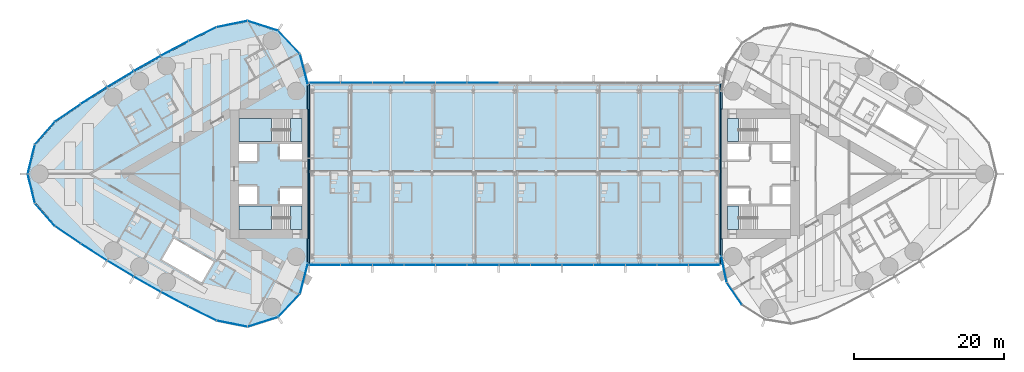
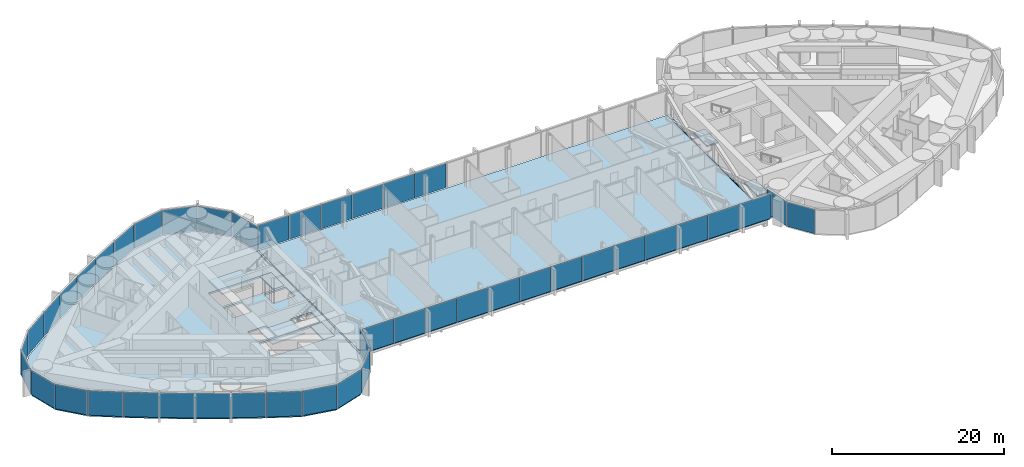
# One storey, part 13 of 24: 47 plates, 8 slabs, 8 elements without a shape of their own.
"""IFC4 building model written with IfcOpenShell, lengths in metres."""

from ifc_helpers import new_model, si_unit, direction, frame, origin, origin_2d, place, context, subcontext, project, spatial, polyline, rectangle, outline, extrude, material, layer, layer_set, type_object, element, aggregate, save


model = new_model("IFC4")

# Units and contexts
model_context = context("Model", 3, precision=1e-05, world=origin(), true_north=direction((0.0, 1.0)))
body_context = subcontext(model_context, "Body", "Model", "MODEL_VIEW")
ifc_project = project(units=[si_unit("LENGTHUNIT", "METRE"), si_unit("AREAUNIT", "SQUARE_METRE"), si_unit("VOLUMEUNIT", "CUBIC_METRE"), si_unit("PLANEANGLEUNIT", "RADIAN"), si_unit("MASSUNIT", "GRAM", prefix="KILO")], contexts=[model_context])

# Site, building, storey
site_placement = place(None, origin())
site = spatial("IfcSite", under=ifc_project, at=site_placement, CompositionType="ELEMENT")
building_placement = place(site_placement, origin())
building = spatial("IfcBuilding", under=site, at=building_placement, Name="Lancet Gate Hotel", CompositionType="ELEMENT")
storey_placement = place(building_placement, frame((0.0, 0.0, 244.10009765625)))
storey = spatial("IfcBuildingStorey", under=building, at=storey_placement, Name="L65", CompositionType="ELEMENT", Elevation=244.10009765625)

# Curtain wall, plates
ifc_material_1 = material(Name="Aluminium curtain wall", Category="aluminium")
curtain_wall_type_1 = type_object("IfcCurtainWallType", Name="Bridge block curtain wall", PredefinedType="USERDEFINED", material=ifc_material_1)
curtain_wall_1_placement = place(storey_placement, origin())
curtain_wall_1 = element("IfcCurtainWall", 1, at=curtain_wall_1_placement, inside=storey, type_object=curtain_wall_type_1, Name="Bridge block L65 curtain wall S", ObjectType="UNITISED CURTAIN WALL", PredefinedType="USERDEFINED")
ifc_material_2 = material(Name="Glass double glazed unit 8-16-6", Category="glass")
ifc_layer_1 = layer(ifc_material_2, 0.030029296875)
ifc_layer_set_1 = layer_set([ifc_layer_1], Name="Block vision panel")
plate_type_1 = type_object("IfcPlateType", Name="Block vision panel", PredefinedType="CURTAIN_PANEL", material=ifc_layer_set_1)
plate_1_placement = place(storey_placement, frame((-25.24609375, -12.1201171875, 0.0), z_axis=(0.0, 0.0, 1.0), x_axis=(1.0, 0.0, 0.0)))
plate_1 = element("IfcPlate", 2, at=plate_1_placement, type_object=plate_type_1, Name="Bridge block L65 curtain wall S panel 1", PredefinedType="CURTAIN_PANEL", context=body_context, shape_type="SweptSolid", body=[
    extrude(rectangle(XDim=4.142578125, YDim=0.030029296875, at=origin_2d()), origin(), (0.0, 0.0, 1.0), 3.449951171875),
])
plate_2_placement = place(storey_placement, frame((-21.03857421875, -12.1201171875, 0.0), z_axis=(0.0, 0.0, 1.0), x_axis=(1.0, 0.0, 0.0)))
plate_2 = element("IfcPlate", 3, at=plate_2_placement, type_object=plate_type_1, Name="Bridge block L65 curtain wall S panel 2", PredefinedType="CURTAIN_PANEL", context=body_context, shape_type="SweptSolid", body=[
    extrude(rectangle(XDim=4.142578125, YDim=0.030029296875, at=origin_2d()), origin(), (0.0, 0.0, 1.0), 3.449951171875),
])
plate_3_placement = place(storey_placement, frame((-16.830810546875, -12.1201171875, 0.0), z_axis=(0.0, 0.0, 1.0), x_axis=(1.0, 0.0, 0.0)))
plate_3 = element("IfcPlate", 4, at=plate_3_placement, type_object=plate_type_1, Name="Bridge block L65 curtain wall S panel 3", PredefinedType="CURTAIN_PANEL", context=body_context, shape_type="SweptSolid", body=[
    extrude(rectangle(XDim=4.142578125, YDim=0.030029296875, at=origin_2d()), origin(), (0.0, 0.0, 1.0), 3.449951171875),
])
plate_4_placement = place(storey_placement, frame((-12.623046875, -12.1201171875, 0.0), z_axis=(0.0, 0.0, 1.0), x_axis=(1.0, 0.0, 0.0)))
plate_4 = element("IfcPlate", 5, at=plate_4_placement, type_object=plate_type_1, Name="Bridge block L65 curtain wall S panel 4", PredefinedType="CURTAIN_PANEL", context=body_context, shape_type="SweptSolid", body=[
    extrude(rectangle(XDim=4.142578125, YDim=0.030029296875, at=origin_2d()), origin(), (0.0, 0.0, 1.0), 3.449951171875),
])
plate_5_placement = place(storey_placement, frame((-8.415283203125, -12.1201171875, 0.0), z_axis=(0.0, 0.0, 1.0), x_axis=(1.0, 0.0, 0.0)))
plate_5 = element("IfcPlate", 6, at=plate_5_placement, type_object=plate_type_1, Name="Bridge block L65 curtain wall S panel 5", PredefinedType="CURTAIN_PANEL", context=body_context, shape_type="SweptSolid", body=[
    extrude(rectangle(XDim=4.142578125, YDim=0.030029296875, at=origin_2d()), origin(), (0.0, 0.0, 1.0), 3.449951171875),
])
plate_6_placement = place(storey_placement, frame((-4.207763671875, -12.1201171875, 0.0), z_axis=(0.0, 0.0, 1.0), x_axis=(1.0, 0.0, 0.0)))
plate_6 = element("IfcPlate", 7, at=plate_6_placement, type_object=plate_type_1, Name="Bridge block L65 curtain wall S panel 6", PredefinedType="CURTAIN_PANEL", context=body_context, shape_type="SweptSolid", body=[
    extrude(rectangle(XDim=4.142578125, YDim=0.030029296875, at=origin_2d()), origin(), (0.0, 0.0, 1.0), 3.449951171875),
])
plate_7_placement = place(storey_placement, frame((0.0, -12.1201171875, 0.0), z_axis=(0.0, 0.0, 1.0), x_axis=(1.0, 0.0, 0.0)))
plate_7 = element("IfcPlate", 8, at=plate_7_placement, type_object=plate_type_1, Name="Bridge block L65 curtain wall S panel 7", PredefinedType="CURTAIN_PANEL", context=body_context, shape_type="SweptSolid", body=[
    extrude(rectangle(XDim=4.142578125, YDim=0.030029296875, at=origin_2d()), origin(), (0.0, 0.0, 1.0), 3.449951171875),
])
plate_8_placement = place(storey_placement, frame((4.207763671875, -12.1201171875, 0.0), z_axis=(0.0, 0.0, 1.0), x_axis=(1.0, 0.0, 0.0)))
plate_8 = element("IfcPlate", 9, at=plate_8_placement, type_object=plate_type_1, Name="Bridge block L65 curtain wall S panel 8", PredefinedType="CURTAIN_PANEL", context=body_context, shape_type="SweptSolid", body=[
    extrude(rectangle(XDim=4.142578125, YDim=0.030029296875, at=origin_2d()), origin(), (0.0, 0.0, 1.0), 3.449951171875),
])
plate_9_placement = place(storey_placement, frame((8.415283203125, -12.1201171875, 0.0), z_axis=(0.0, 0.0, 1.0), x_axis=(1.0, 0.0, 0.0)))
plate_9 = element("IfcPlate", 10, at=plate_9_placement, type_object=plate_type_1, Name="Bridge block L65 curtain wall S panel 9", PredefinedType="CURTAIN_PANEL", context=body_context, shape_type="SweptSolid", body=[
    extrude(rectangle(XDim=4.142578125, YDim=0.030029296875, at=origin_2d()), origin(), (0.0, 0.0, 1.0), 3.449951171875),
])
plate_10_placement = place(storey_placement, frame((12.623046875, -12.1201171875, 0.0), z_axis=(0.0, 0.0, 1.0), x_axis=(1.0, 0.0, 0.0)))
plate_10 = element("IfcPlate", 11, at=plate_10_placement, type_object=plate_type_1, Name="Bridge block L65 curtain wall S panel 10", PredefinedType="CURTAIN_PANEL", context=body_context, shape_type="SweptSolid", body=[
    extrude(rectangle(XDim=4.142578125, YDim=0.030029296875, at=origin_2d()), origin(), (0.0, 0.0, 1.0), 3.449951171875),
])
plate_11_placement = place(storey_placement, frame((16.830810546875, -12.1201171875, 0.0), z_axis=(0.0, 0.0, 1.0), x_axis=(1.0, 0.0, 0.0)))
plate_11 = element("IfcPlate", 12, at=plate_11_placement, type_object=plate_type_1, Name="Bridge block L65 curtain wall S panel 11", PredefinedType="CURTAIN_PANEL", context=body_context, shape_type="SweptSolid", body=[
    extrude(rectangle(XDim=4.142578125, YDim=0.030029296875, at=origin_2d()), origin(), (0.0, 0.0, 1.0), 3.449951171875),
])
plate_12_placement = place(storey_placement, frame((21.03857421875, -12.1201171875, 0.0), z_axis=(0.0, 0.0, 1.0), x_axis=(1.0, 0.0, 0.0)))
plate_12 = element("IfcPlate", 13, at=plate_12_placement, type_object=plate_type_1, Name="Bridge block L65 curtain wall S panel 12", PredefinedType="CURTAIN_PANEL", context=body_context, shape_type="SweptSolid", body=[
    extrude(rectangle(XDim=4.142578125, YDim=0.030029296875, at=origin_2d()), origin(), (0.0, 0.0, 1.0), 3.449951171875),
])
plate_13_placement = place(storey_placement, frame((25.24609375, -12.1201171875, 0.0), z_axis=(0.0, 0.0, 1.0), x_axis=(1.0, 0.0, 0.0)))
plate_13 = element("IfcPlate", 14, at=plate_13_placement, type_object=plate_type_1, Name="Bridge block L65 curtain wall S panel 13", PredefinedType="CURTAIN_PANEL", context=body_context, shape_type="SweptSolid", body=[
    extrude(rectangle(XDim=4.142578125, YDim=0.030029296875, at=origin_2d()), origin(), (0.0, 0.0, 1.0), 3.449951171875),
])
aggregate(curtain_wall_1, [plate_1, plate_2, plate_3, plate_4, plate_5, plate_6, plate_7, plate_8, plate_9, plate_10, plate_11, plate_12, plate_13])

curtain_wall_2_placement = place(storey_placement, origin())
curtain_wall_2 = element("IfcCurtainWall", 15, at=curtain_wall_2_placement, inside=storey, type_object=curtain_wall_type_1, Name="Bridge block L65 curtain wall N", ObjectType="UNITISED CURTAIN WALL", PredefinedType="USERDEFINED")
plate_14_placement = place(storey_placement, frame((-4.207763671875, 12.1201171875, 0.0), z_axis=(0.0, 0.0, 1.0), x_axis=(-1.0, 0.0, 0.0)))
plate_14 = element("IfcPlate", 16, at=plate_14_placement, type_object=plate_type_1, Name="Bridge block L65 curtain wall N panel 8", PredefinedType="CURTAIN_PANEL", context=body_context, shape_type="SweptSolid", body=[
    extrude(rectangle(XDim=4.142578125, YDim=0.030029296875, at=origin_2d()), origin(), (0.0, 0.0, 1.0), 3.449951171875),
])
plate_15_placement = place(storey_placement, frame((-8.415283203125, 12.1201171875, 0.0), z_axis=(0.0, 0.0, 1.0), x_axis=(-1.0, 0.0, 0.0)))
plate_15 = element("IfcPlate", 17, at=plate_15_placement, type_object=plate_type_1, Name="Bridge block L65 curtain wall N panel 9", PredefinedType="CURTAIN_PANEL", context=body_context, shape_type="SweptSolid", body=[
    extrude(rectangle(XDim=4.142578125, YDim=0.030029296875, at=origin_2d()), origin(), (0.0, 0.0, 1.0), 3.449951171875),
])
plate_16_placement = place(storey_placement, frame((-12.623046875, 12.1201171875, 0.0), z_axis=(0.0, 0.0, 1.0), x_axis=(-1.0, 0.0, 0.0)))
plate_16 = element("IfcPlate", 18, at=plate_16_placement, type_object=plate_type_1, Name="Bridge block L65 curtain wall N panel 10", PredefinedType="CURTAIN_PANEL", context=body_context, shape_type="SweptSolid", body=[
    extrude(rectangle(XDim=4.142578125, YDim=0.030029296875, at=origin_2d()), origin(), (0.0, 0.0, 1.0), 3.449951171875),
])
plate_17_placement = place(storey_placement, frame((-16.830810546875, 12.1201171875, 0.0), z_axis=(0.0, 0.0, 1.0), x_axis=(-1.0, 0.0, 0.0)))
plate_17 = element("IfcPlate", 19, at=plate_17_placement, type_object=plate_type_1, Name="Bridge block L65 curtain wall N panel 11", PredefinedType="CURTAIN_PANEL", context=body_context, shape_type="SweptSolid", body=[
    extrude(rectangle(XDim=4.142578125, YDim=0.030029296875, at=origin_2d()), origin(), (0.0, 0.0, 1.0), 3.449951171875),
])
plate_18_placement = place(storey_placement, frame((-21.03857421875, 12.1201171875, 0.0), z_axis=(0.0, 0.0, 1.0), x_axis=(-1.0, 0.0, 0.0)))
plate_18 = element("IfcPlate", 20, at=plate_18_placement, type_object=plate_type_1, Name="Bridge block L65 curtain wall N panel 12", PredefinedType="CURTAIN_PANEL", context=body_context, shape_type="SweptSolid", body=[
    extrude(rectangle(XDim=4.142578125, YDim=0.030029296875, at=origin_2d()), origin(), (0.0, 0.0, 1.0), 3.449951171875),
])
plate_19_placement = place(storey_placement, frame((-25.24609375, 12.1201171875, 0.0), z_axis=(0.0, 0.0, 1.0), x_axis=(-1.0, 0.0, 0.0)))
plate_19 = element("IfcPlate", 21, at=plate_19_placement, type_object=plate_type_1, Name="Bridge block L65 curtain wall N panel 13", PredefinedType="CURTAIN_PANEL", context=body_context, shape_type="SweptSolid", body=[
    extrude(rectangle(XDim=4.142578125, YDim=0.030029296875, at=origin_2d()), origin(), (0.0, 0.0, 1.0), 3.449951171875),
])
aggregate(curtain_wall_2, [plate_14, plate_15, plate_16, plate_17, plate_18, plate_19])

# Slabs
ifc_material_3 = material(Name="Concrete C40/50", Category="concrete")
ifc_layer_2 = layer(ifc_material_3, 0.199951171875)
ifc_layer_set_2 = layer_set([ifc_layer_2], Name="Composite floor slab 200")
slab_type_1 = type_object("IfcSlabType", Name="Composite floor slab 200", PredefinedType="FLOOR", material=ifc_layer_set_2)
slab_1_placement = place(storey_placement, frame((0.0, 0.0, -0.2001953125)))
element("IfcSlab", 22, at=slab_1_placement, inside=storey, type_object=slab_type_1, Name="Bridge block L65 floor slab", PredefinedType="FLOOR", context=body_context, shape_type="SweptSolid", body=[
    extrude(outline(polyline([(27.35009765625, -12.0), (27.35009765625, 12.0), (-27.35009765625, 12.0), (-27.35009765625, -12.0), (27.35009765625, -12.0)])), origin(), (0.0, 0.0, 1.0), 0.2001953125),
])
ifc_material_4 = material(Name="Concrete C50/60", Category="concrete")
ifc_layer_3 = layer(ifc_material_4, 0.25)
ifc_layer_set_3 = layer_set([ifc_layer_3], Name="Floor slab 250")
slab_type_2 = type_object("IfcSlabType", Name="Floor slab 250", PredefinedType="FLOOR", material=ifc_layer_set_3)
slab_2_placement = place(storey_placement, frame((0.0, 0.0, -0.25)))
element("IfcSlab", 23, at=slab_2_placement, inside=storey, type_object=slab_type_2, Name="T1 L65 floor slab", PredefinedType="FLOOR", context=body_context, shape_type="SweptSolid", body=[
    extrude(outline(polyline([(-27.5, 8.60009765625), (-27.6201171875, 8.60009765625), (-27.6201171875, 11.84619140625), (-28.668701171875, 15.912353515625), (-31.542236328125, 18.95263671875), (-35.52783203125, 20.22412109375), (-39.645751953125, 19.40673828125), (-43.344482421875, 17.565673828125), (-47.005126953125, 15.618896484375), (-50.61181640625, 13.574462890625), (-54.162353515625, 11.43359375), (-57.654052734375, 9.197998046875), (-61.072998046875, 6.876708984375), (-63.71240234375, 3.871337890625), (-64.66064453125, 0.0), (-63.71240234375, -3.871337890625), (-61.072998046875, -6.876708984375), (-57.654052734375, -9.197998046875), (-54.162353515625, -11.43359375), (-50.61181640625, -13.574462890625), (-47.005126953125, -15.618896484375), (-43.344482421875, -17.565673828125), (-39.645751953125, -19.40673828125), (-35.52783203125, -20.22412109375), (-31.542236328125, -18.95263671875), (-28.668701171875, -15.912353515625), (-27.6201171875, -11.84619140625), (-27.6201171875, -8.60009765625), (-27.5, -8.60009765625), (-27.5, -8.199951171875), (-27.5, 8.199951171875), (-27.5, 8.60009765625)]), holes=[polyline([(-36.699951171875, 7.39990234375), (-36.699951171875, 4.300048828125), (-28.300048828125, 4.300048828125), (-28.300048828125, 7.39990234375), (-36.699951171875, 7.39990234375)]), polyline([(-28.300048828125, 4.0), (-31.199951171875, 4.0), (-31.199951171875, 1.89990234375), (-28.300048828125, 1.89990234375), (-28.300048828125, 4.0)]), polyline([(-34.25, 4.0), (-36.699951171875, 4.0), (-36.699951171875, 1.64990234375), (-34.25, 1.64990234375), (-34.25, 4.0)]), polyline([(-36.699951171875, -1.64990234375), (-36.699951171875, -4.0), (-34.25, -4.0), (-34.25, -1.64990234375), (-36.699951171875, -1.64990234375)]), polyline([(-28.300048828125, -1.89990234375), (-31.199951171875, -1.89990234375), (-31.199951171875, -4.0), (-28.300048828125, -4.0), (-28.300048828125, -1.89990234375)]), polyline([(-28.300048828125, -4.300048828125), (-36.699951171875, -4.300048828125), (-36.699951171875, -7.39990234375), (-28.300048828125, -7.39990234375), (-28.300048828125, -4.300048828125)]), polyline([(-45.319091796875, -8.631103515625), (-46.9189453125, -11.402099609375), (-41.635986328125, -14.451904296875), (-40.035888671875, -11.680908203125), (-45.319091796875, -8.631103515625)])]), origin(), (0.0, 0.0, 1.0), 0.25),
])

# Plates
ifc_material_5 = material(Name="Aluminium chequer plate", Category="aluminium")
ifc_layer_4 = layer(ifc_material_5, 0.014892578125)
ifc_layer_set_4 = layer_set([ifc_layer_4], Name="Movement joint cover plate 15")
plate_type_2 = type_object("IfcPlateType", Name="Movement joint cover plate 15", PredefinedType="SHEET", material=ifc_layer_set_4)
plate_20_placement = place(storey_placement, frame((0.0, 0.0, -0.01513671875)))
element("IfcPlate", 24, at=plate_20_placement, inside=storey, type_object=plate_type_2, Name="Movement joint cover plate T1 L65", PredefinedType="SHEET", context=body_context, shape_type="SweptSolid", body=[
    extrude(outline(polyline([(-27.35009765625, 12.0), (-27.65966796875, 12.0), (-27.6201171875, 11.84619140625), (-27.6201171875, 8.60009765625), (-27.5, 8.60009765625), (-27.5, 8.199951171875), (-27.5, -8.199951171875), (-27.5, -8.60009765625), (-27.6201171875, -8.60009765625), (-27.6201171875, -11.84619140625), (-27.65966796875, -12.0), (-27.35009765625, -12.0), (-27.35009765625, 12.0)])), origin(), (0.0, 0.0, 1.0), 0.01513671875),
])
plate_21_placement = place(storey_placement, frame((0.0, 0.0, -0.01513671875)))
element("IfcPlate", 25, at=plate_21_placement, inside=storey, type_object=plate_type_2, Name="Movement joint cover plate T2 L65", PredefinedType="SHEET", context=body_context, shape_type="SweptSolid", body=[
    extrude(outline(polyline([(27.35009765625, -12.0), (27.836669921875, -12.0), (27.6201171875, -10.93603515625), (27.6201171875, -8.60009765625), (27.5, -8.60009765625), (27.5, -8.199951171875), (27.5, 8.199951171875), (27.5, 8.60009765625), (27.6201171875, 8.60009765625), (27.6201171875, 10.93603515625), (27.836669921875, 12.0), (27.35009765625, 12.0), (27.35009765625, -12.0)])), origin(), (0.0, 0.0, 1.0), 0.01513671875),
])

# Stair, slabs
ifc_material_6 = material(Name="Exit stair 20 risers 1500")
stair_type = type_object("IfcStairType", Name="Exit stair 20 risers 1500", PredefinedType="HALF_TURN_STAIR", material=ifc_material_6)
stair_1_placement = place(storey_placement, origin())
stair_1 = element("IfcStair", 26, at=stair_1_placement, inside=storey, type_object=stair_type, Name="T1 stair 1 L65", PredefinedType="HALF_TURN_STAIR")
ifc_material_7 = material(Name="Concrete C40/50", Category="concrete")
ifc_layer_5 = layer(ifc_material_7, 0.199951171875)
ifc_layer_set_5 = layer_set([ifc_layer_5], Name="Stair landing 200")
slab_type_3 = type_object("IfcSlabType", Name="Stair landing 200", PredefinedType="LANDING", material=ifc_layer_set_5)
slab_3_placement = place(storey_placement, frame((0.0, 0.0, -0.2001953125)))
slab_3 = element("IfcSlab", 27, at=slab_3_placement, type_object=slab_type_3, Name="ST1 landing 1", PredefinedType="LANDING", context=body_context, shape_type="SweptSolid", body=[
    extrude(outline(polyline([(-28.300048828125, 7.39990234375), (-29.800048828125, 7.39990234375), (-29.800048828125, 4.300048828125), (-28.300048828125, 4.300048828125), (-28.300048828125, 7.39990234375)])), origin(), (0.0, 0.0, 1.0), 0.2001953125),
])
slab_4_placement = place(storey_placement, frame((0.0, 0.0, 1.599853515625)))
slab_4 = element("IfcSlab", 28, at=slab_4_placement, type_object=slab_type_3, Name="ST1 landing 2", PredefinedType="LANDING", context=body_context, shape_type="SweptSolid", body=[
    extrude(outline(polyline([(-32.320068359375, 7.39990234375), (-36.699951171875, 7.39990234375), (-36.699951171875, 4.300048828125), (-32.320068359375, 4.300048828125), (-32.320068359375, 7.39990234375)])), origin(), (0.0, 0.0, 1.0), 0.199951171875),
])
aggregate(stair_1, [slab_3, slab_4])

stair_2_placement = place(storey_placement, origin())
stair_2 = element("IfcStair", 29, at=stair_2_placement, inside=storey, type_object=stair_type, Name="T1 stair 2 L65", PredefinedType="HALF_TURN_STAIR")
slab_5_placement = place(storey_placement, frame((0.0, 0.0, -0.2001953125)))
slab_5 = element("IfcSlab", 30, at=slab_5_placement, type_object=slab_type_3, Name="ST2 landing 1", PredefinedType="LANDING", context=body_context, shape_type="SweptSolid", body=[
    extrude(outline(polyline([(-28.300048828125, -4.300048828125), (-29.800048828125, -4.300048828125), (-29.800048828125, -7.39990234375), (-28.300048828125, -7.39990234375), (-28.300048828125, -4.300048828125)])), origin(), (0.0, 0.0, 1.0), 0.2001953125),
])
slab_6_placement = place(storey_placement, frame((0.0, 0.0, 1.599853515625)))
slab_6 = element("IfcSlab", 31, at=slab_6_placement, type_object=slab_type_3, Name="ST2 landing 2", PredefinedType="LANDING", context=body_context, shape_type="SweptSolid", body=[
    extrude(outline(polyline([(-32.320068359375, -4.300048828125), (-36.699951171875, -4.300048828125), (-36.699951171875, -7.39990234375), (-32.320068359375, -7.39990234375), (-32.320068359375, -4.300048828125)])), origin(), (0.0, 0.0, 1.0), 0.199951171875),
])
aggregate(stair_2, [slab_5, slab_6])

# Stair, slab
stair_3_placement = place(storey_placement, origin())
stair_3 = element("IfcStair", 32, at=stair_3_placement, inside=storey, type_object=stair_type, Name="T2 stair 1 L65", PredefinedType="HALF_TURN_STAIR")
slab_7_placement = place(storey_placement, frame((0.0, 0.0, -0.2001953125)))
slab_7 = element("IfcSlab", 33, at=slab_7_placement, type_object=slab_type_3, Name="ST3 landing 1", PredefinedType="LANDING", context=body_context, shape_type="SweptSolid", body=[
    extrude(outline(polyline([(28.300048828125, -7.39990234375), (29.800048828125, -7.39990234375), (29.800048828125, -4.300048828125), (28.300048828125, -4.300048828125), (28.300048828125, -7.39990234375)])), origin(), (0.0, 0.0, 1.0), 0.2001953125),
])
aggregate(stair_3, [slab_7])

stair_4_placement = place(storey_placement, origin())
stair_4 = element("IfcStair", 34, at=stair_4_placement, inside=storey, type_object=stair_type, Name="T2 stair 2 L65", PredefinedType="HALF_TURN_STAIR")
slab_8_placement = place(storey_placement, frame((0.0, 0.0, -0.2001953125)))
slab_8 = element("IfcSlab", 35, at=slab_8_placement, type_object=slab_type_3, Name="ST4 landing 1", PredefinedType="LANDING", context=body_context, shape_type="SweptSolid", body=[
    extrude(outline(polyline([(28.300048828125, 4.300048828125), (29.800048828125, 4.300048828125), (29.800048828125, 7.39990234375), (28.300048828125, 7.39990234375), (28.300048828125, 4.300048828125)])), origin(), (0.0, 0.0, 1.0), 0.2001953125),
])
aggregate(stair_4, [slab_8])

# Curtain wall, plates
ifc_material_8 = material(Name="Aluminium curtain wall", Category="aluminium")
curtain_wall_type_2 = type_object("IfcCurtainWallType", Name="Tower unitised curtain wall", PredefinedType="USERDEFINED", material=ifc_material_8)
curtain_wall_3_placement = place(storey_placement, origin())
curtain_wall_3 = element("IfcCurtainWall", 36, at=curtain_wall_3_placement, inside=storey, type_object=curtain_wall_type_2, Name="T1 L65 curtain wall 1", ObjectType="UNITISED CURTAIN WALL", PredefinedType="USERDEFINED")
ifc_material_9 = material(Name="Glass double glazed unit 8-16-6", Category="glass")
ifc_layer_6 = layer(ifc_material_9, 0.030029296875)
ifc_layer_set_6 = layer_set([ifc_layer_6], Name="Vision panel double glazed")
plate_type_3 = type_object("IfcPlateType", Name="Vision panel double glazed", PredefinedType="CURTAIN_PANEL", material=ifc_layer_set_6)
plate_22_placement = place(storey_placement, frame((-28.030029296875, 13.9169921875, 0.0), z_axis=(0.0, 0.0, 1.0), x_axis=(-0.249725827997, 0.968316586056, 0.0)))
plate_22 = element("IfcPlate", 37, at=plate_22_placement, type_object=plate_type_3, Name="T1 L65 curtain wall 1 panel 1", PredefinedType="CURTAIN_PANEL", context=body_context, shape_type="SweptSolid", body=[
    extrude(rectangle(XDim=4.180419921875, YDim=0.030029296875, at=origin_2d()), origin(), (0.0, 0.0, 1.0), 3.449951171875),
])
plate_23_placement = place(storey_placement, frame((-30.018310546875, 17.514892578125, 0.0), z_axis=(0.0, 0.0, 1.0), x_axis=(-0.686882887577, 0.726768118972, 0.0)))
plate_23 = element("IfcPlate", 38, at=plate_23_placement, type_object=plate_type_3, Name="T1 L65 curtain wall 1 panel 2", PredefinedType="CURTAIN_PANEL", context=body_context, shape_type="SweptSolid", body=[
    extrude(rectangle(XDim=4.180419921875, YDim=0.030029296875, at=origin_2d()), origin(), (0.0, 0.0, 1.0), 3.449951171875),
])
plate_24_placement = place(storey_placement, frame((-33.49853515625, 19.702880859375, 0.0), z_axis=(0.0, 0.0, 1.0), x_axis=(-0.952695666833, 0.303925922549, 0.0)))
plate_24 = element("IfcPlate", 39, at=plate_24_placement, type_object=plate_type_3, Name="T1 L65 curtain wall 1 panel 3", PredefinedType="CURTAIN_PANEL", context=body_context, shape_type="SweptSolid", body=[
    extrude(rectangle(XDim=4.180419921875, YDim=0.030029296875, at=origin_2d()), origin(), (0.0, 0.0, 1.0), 3.449951171875),
])
plate_25_placement = place(storey_placement, frame((-37.602783203125, 19.9345703125, 0.0), z_axis=(0.0, 0.0, 1.0), x_axis=(-0.980856647866, -0.194731189942, 0.0)))
plate_25 = element("IfcPlate", 40, at=plate_25_placement, type_object=plate_type_3, Name="T1 L65 curtain wall 1 panel 4", PredefinedType="CURTAIN_PANEL", context=body_context, shape_type="SweptSolid", body=[
    extrude(rectangle(XDim=4.180419921875, YDim=0.030029296875, at=origin_2d()), origin(), (0.0, 0.0, 1.0), 3.449951171875),
])
plate_26_placement = place(storey_placement, frame((-41.5419921875, 18.5966796875, 0.0), z_axis=(0.0, 0.0, 1.0), x_axis=(-0.895234030262, -0.445596264639, 0.0)))
plate_26 = element("IfcPlate", 41, at=plate_26_placement, type_object=plate_type_3, Name="T1 L65 curtain wall 1 panel 5", PredefinedType="CURTAIN_PANEL", context=body_context, shape_type="SweptSolid", body=[
    extrude(rectangle(XDim=4.084228515625, YDim=0.030029296875, at=origin_2d()), origin(), (0.0, 0.0, 1.0), 3.449951171875),
])
plate_27_placement = place(storey_placement, frame((-45.23095703125, 16.6982421875, 0.0), z_axis=(0.0, 0.0, 1.0), x_axis=(-0.882915941615, -0.469531085277, 0.0)))
plate_27 = element("IfcPlate", 42, at=plate_27_placement, type_object=plate_type_3, Name="T1 L65 curtain wall 1 panel 6", PredefinedType="CURTAIN_PANEL", context=body_context, shape_type="SweptSolid", body=[
    extrude(rectangle(XDim=4.084228515625, YDim=0.030029296875, at=origin_2d()), origin(), (0.0, 0.0, 1.0), 3.449951171875),
])
plate_28_placement = place(storey_placement, frame((-48.86767578125, 14.701171875, 0.0), z_axis=(0.0, 0.0, 1.0), x_axis=(-0.869958082404, -0.493125678565, 0.0)))
plate_28 = element("IfcPlate", 43, at=plate_28_placement, type_object=plate_type_3, Name="T1 L65 curtain wall 1 panel 7", PredefinedType="CURTAIN_PANEL", context=body_context, shape_type="SweptSolid", body=[
    extrude(rectangle(XDim=4.084228515625, YDim=0.030029296875, at=origin_2d()), origin(), (0.0, 0.0, 1.0), 3.449951171875),
])
plate_29_placement = place(storey_placement, frame((-52.44921875, 12.606689453125, 0.0), z_axis=(0.0, 0.0, 1.0), x_axis=(-0.85636984205, -0.516362947574, 0.0)))
plate_29 = element("IfcPlate", 44, at=plate_29_placement, type_object=plate_type_3, Name="T1 L65 curtain wall 1 panel 8", PredefinedType="CURTAIN_PANEL", context=body_context, shape_type="SweptSolid", body=[
    extrude(rectangle(XDim=4.084228515625, YDim=0.030029296875, at=origin_2d()), origin(), (0.0, 0.0, 1.0), 3.449951171875),
])
plate_30_placement = place(storey_placement, frame((-55.972900390625, 10.416748046875, 0.0), z_axis=(0.0, 0.0, 1.0), x_axis=(-0.842161066725, -0.539226054352, 0.0)))
plate_30 = element("IfcPlate", 45, at=plate_30_placement, type_object=plate_type_3, Name="T1 L65 curtain wall 1 panel 9", PredefinedType="CURTAIN_PANEL", context=body_context, shape_type="SweptSolid", body=[
    extrude(rectangle(XDim=4.084228515625, YDim=0.030029296875, at=origin_2d()), origin(), (0.0, 0.0, 1.0), 3.449951171875),
])
plate_31_placement = place(storey_placement, frame((-59.4365234375, 8.1328125, 0.0), z_axis=(0.0, 0.0, 1.0), x_axis=(-0.827342052281, -0.561698432014, 0.0)))
plate_31 = element("IfcPlate", 46, at=plate_31_placement, type_object=plate_type_3, Name="T1 L65 curtain wall 1 panel 10", PredefinedType="CURTAIN_PANEL", context=body_context, shape_type="SweptSolid", body=[
    extrude(rectangle(XDim=4.084228515625, YDim=0.030029296875, at=origin_2d()), origin(), (0.0, 0.0, 1.0), 3.449951171875),
])
plate_32_placement = place(storey_placement, frame((-62.487548828125, 5.447998046875, 0.0), z_axis=(0.0, 0.0, 1.0), x_axis=(-0.659891635916, -0.751360784742, 0.0)))
plate_32 = element("IfcPlate", 47, at=plate_32_placement, type_object=plate_type_3, Name="T1 L65 curtain wall 1 panel 11", PredefinedType="CURTAIN_PANEL", context=body_context, shape_type="SweptSolid", body=[
    extrude(rectangle(XDim=3.979736328125, YDim=0.030029296875, at=origin_2d()), origin(), (0.0, 0.0, 1.0), 3.449951171875),
])
plate_33_placement = place(storey_placement, frame((-64.30322265625, 1.96435546875, 0.0), z_axis=(0.0, 0.0, 1.0), x_axis=(-0.237921018621, -0.971284504612, 0.0)))
plate_33 = element("IfcPlate", 48, at=plate_33_placement, type_object=plate_type_3, Name="T1 L65 curtain wall 1 panel 12", PredefinedType="CURTAIN_PANEL", context=body_context, shape_type="SweptSolid", body=[
    extrude(rectangle(XDim=3.979736328125, YDim=0.030029296875, at=origin_2d()), origin(), (0.0, 0.0, 1.0), 3.449951171875),
])
plate_34_placement = place(storey_placement, frame((-64.30322265625, -1.96435546875, 0.0), z_axis=(0.0, 0.0, 1.0), x_axis=(0.237921018621, -0.971284504612, 0.0)))
plate_34 = element("IfcPlate", 49, at=plate_34_placement, type_object=plate_type_3, Name="T1 L65 curtain wall 1 panel 13", PredefinedType="CURTAIN_PANEL", context=body_context, shape_type="SweptSolid", body=[
    extrude(rectangle(XDim=3.979736328125, YDim=0.030029296875, at=origin_2d()), origin(), (0.0, 0.0, 1.0), 3.449951171875),
])
plate_35_placement = place(storey_placement, frame((-62.487548828125, -5.447998046875, 0.0), z_axis=(0.0, 0.0, 1.0), x_axis=(0.659891635916, -0.751360784742, 0.0)))
plate_35 = element("IfcPlate", 50, at=plate_35_placement, type_object=plate_type_3, Name="T1 L65 curtain wall 1 panel 14", PredefinedType="CURTAIN_PANEL", context=body_context, shape_type="SweptSolid", body=[
    extrude(rectangle(XDim=3.979736328125, YDim=0.030029296875, at=origin_2d()), origin(), (0.0, 0.0, 1.0), 3.449951171875),
])
plate_36_placement = place(storey_placement, frame((-59.4365234375, -8.1328125, 0.0), z_axis=(0.0, 0.0, 1.0), x_axis=(0.827342052281, -0.561698432014, 0.0)))
plate_36 = element("IfcPlate", 51, at=plate_36_placement, type_object=plate_type_3, Name="T1 L65 curtain wall 1 panel 15", PredefinedType="CURTAIN_PANEL", context=body_context, shape_type="SweptSolid", body=[
    extrude(rectangle(XDim=4.084228515625, YDim=0.030029296875, at=origin_2d()), origin(), (0.0, 0.0, 1.0), 3.449951171875),
])
plate_37_placement = place(storey_placement, frame((-55.972900390625, -10.416748046875, 0.0), z_axis=(0.0, 0.0, 1.0), x_axis=(0.842161066725, -0.539226054352, 0.0)))
plate_37 = element("IfcPlate", 52, at=plate_37_placement, type_object=plate_type_3, Name="T1 L65 curtain wall 1 panel 16", PredefinedType="CURTAIN_PANEL", context=body_context, shape_type="SweptSolid", body=[
    extrude(rectangle(XDim=4.084228515625, YDim=0.030029296875, at=origin_2d()), origin(), (0.0, 0.0, 1.0), 3.449951171875),
])
plate_38_placement = place(storey_placement, frame((-52.44921875, -12.606689453125, 0.0), z_axis=(0.0, 0.0, 1.0), x_axis=(0.85636984205, -0.516362947574, 0.0)))
plate_38 = element("IfcPlate", 53, at=plate_38_placement, type_object=plate_type_3, Name="T1 L65 curtain wall 1 panel 17", PredefinedType="CURTAIN_PANEL", context=body_context, shape_type="SweptSolid", body=[
    extrude(rectangle(XDim=4.084228515625, YDim=0.030029296875, at=origin_2d()), origin(), (0.0, 0.0, 1.0), 3.449951171875),
])
plate_39_placement = place(storey_placement, frame((-48.86767578125, -14.701171875, 0.0), z_axis=(0.0, 0.0, 1.0), x_axis=(0.869958082404, -0.493125678565, 0.0)))
plate_39 = element("IfcPlate", 54, at=plate_39_placement, type_object=plate_type_3, Name="T1 L65 curtain wall 1 panel 18", PredefinedType="CURTAIN_PANEL", context=body_context, shape_type="SweptSolid", body=[
    extrude(rectangle(XDim=4.084228515625, YDim=0.030029296875, at=origin_2d()), origin(), (0.0, 0.0, 1.0), 3.449951171875),
])
plate_40_placement = place(storey_placement, frame((-45.23095703125, -16.6982421875, 0.0), z_axis=(0.0, 0.0, 1.0), x_axis=(0.882915941615, -0.469531085277, 0.0)))
plate_40 = element("IfcPlate", 55, at=plate_40_placement, type_object=plate_type_3, Name="T1 L65 curtain wall 1 panel 19", PredefinedType="CURTAIN_PANEL", context=body_context, shape_type="SweptSolid", body=[
    extrude(rectangle(XDim=4.084228515625, YDim=0.030029296875, at=origin_2d()), origin(), (0.0, 0.0, 1.0), 3.449951171875),
])
plate_41_placement = place(storey_placement, frame((-41.5419921875, -18.5966796875, 0.0), z_axis=(0.0, 0.0, 1.0), x_axis=(0.895234030262, -0.445596264639, 0.0)))
plate_41 = element("IfcPlate", 56, at=plate_41_placement, type_object=plate_type_3, Name="T1 L65 curtain wall 1 panel 20", PredefinedType="CURTAIN_PANEL", context=body_context, shape_type="SweptSolid", body=[
    extrude(rectangle(XDim=4.084228515625, YDim=0.030029296875, at=origin_2d()), origin(), (0.0, 0.0, 1.0), 3.449951171875),
])
plate_42_placement = place(storey_placement, frame((-37.602783203125, -19.9345703125, 0.0), z_axis=(0.0, 0.0, 1.0), x_axis=(0.980856647866, -0.194731189942, 0.0)))
plate_42 = element("IfcPlate", 57, at=plate_42_placement, type_object=plate_type_3, Name="T1 L65 curtain wall 1 panel 21", PredefinedType="CURTAIN_PANEL", context=body_context, shape_type="SweptSolid", body=[
    extrude(rectangle(XDim=4.180419921875, YDim=0.030029296875, at=origin_2d()), origin(), (0.0, 0.0, 1.0), 3.449951171875),
])
plate_43_placement = place(storey_placement, frame((-33.49853515625, -19.702880859375, 0.0), z_axis=(0.0, 0.0, 1.0), x_axis=(0.952695666833, 0.303925922549, 0.0)))
plate_43 = element("IfcPlate", 58, at=plate_43_placement, type_object=plate_type_3, Name="T1 L65 curtain wall 1 panel 22", PredefinedType="CURTAIN_PANEL", context=body_context, shape_type="SweptSolid", body=[
    extrude(rectangle(XDim=4.180419921875, YDim=0.030029296875, at=origin_2d()), origin(), (0.0, 0.0, 1.0), 3.449951171875),
])
plate_44_placement = place(storey_placement, frame((-30.018310546875, -17.514892578125, 0.0), z_axis=(0.0, 0.0, 1.0), x_axis=(0.686882887577, 0.726768118972, 0.0)))
plate_44 = element("IfcPlate", 59, at=plate_44_placement, type_object=plate_type_3, Name="T1 L65 curtain wall 1 panel 23", PredefinedType="CURTAIN_PANEL", context=body_context, shape_type="SweptSolid", body=[
    extrude(rectangle(XDim=4.180419921875, YDim=0.030029296875, at=origin_2d()), origin(), (0.0, 0.0, 1.0), 3.449951171875),
])
plate_45_placement = place(storey_placement, frame((-28.030029296875, -13.9169921875, 0.0), z_axis=(0.0, 0.0, 1.0), x_axis=(0.249725827997, 0.968316586056, 0.0)))
plate_45 = element("IfcPlate", 60, at=plate_45_placement, type_object=plate_type_3, Name="T1 L65 curtain wall 1 panel 24", PredefinedType="CURTAIN_PANEL", context=body_context, shape_type="SweptSolid", body=[
    extrude(rectangle(XDim=4.180419921875, YDim=0.030029296875, at=origin_2d()), origin(), (0.0, 0.0, 1.0), 3.449951171875),
])
aggregate(curtain_wall_3, [plate_22, plate_23, plate_24, plate_25, plate_26, plate_27, plate_28, plate_29, plate_30, plate_31, plate_32, plate_33, plate_34, plate_35, plate_36, plate_37, plate_38, plate_39, plate_40, plate_41, plate_42, plate_43, plate_44, plate_45])

curtain_wall_4_placement = place(storey_placement, origin())
curtain_wall_4 = element("IfcCurtainWall", 61, at=curtain_wall_4_placement, inside=storey, type_object=curtain_wall_type_2, Name="T2 L65 curtain wall 1", ObjectType="UNITISED CURTAIN WALL", PredefinedType="USERDEFINED")
plate_46_placement = place(storey_placement, frame((27.8583984375, -12.707763671875, 0.0), z_axis=(0.0, 0.0, 1.0), x_axis=(0.199533486841, -0.979891008036, 0.0)))
plate_46 = element("IfcPlate", 62, at=plate_46_placement, type_object=plate_type_3, Name="T2 L65 curtain wall 1 panel 1", PredefinedType="CURTAIN_PANEL", context=body_context, shape_type="SweptSolid", body=[
    extrude(rectangle(XDim=3.526611328125, YDim=0.030029296875, at=origin_2d()), origin(), (0.0, 0.0, 1.0), 3.449951171875),
])
plate_47_placement = place(storey_placement, frame((29.234619140625, -15.947021484375, 0.0), z_axis=(0.0, 0.0, 1.0), x_axis=(0.566823864908, -0.823839005007, 0.0)))
plate_47 = element("IfcPlate", 63, at=plate_47_placement, type_object=plate_type_3, Name="T2 L65 curtain wall 1 panel 2", PredefinedType="CURTAIN_PANEL", context=body_context, shape_type="SweptSolid", body=[
    extrude(rectangle(XDim=3.526611328125, YDim=0.030029296875, at=origin_2d()), origin(), (0.0, 0.0, 1.0), 3.449951171875),
])
aggregate(curtain_wall_4, [plate_46, plate_47])

save(model, "model.ifc")
